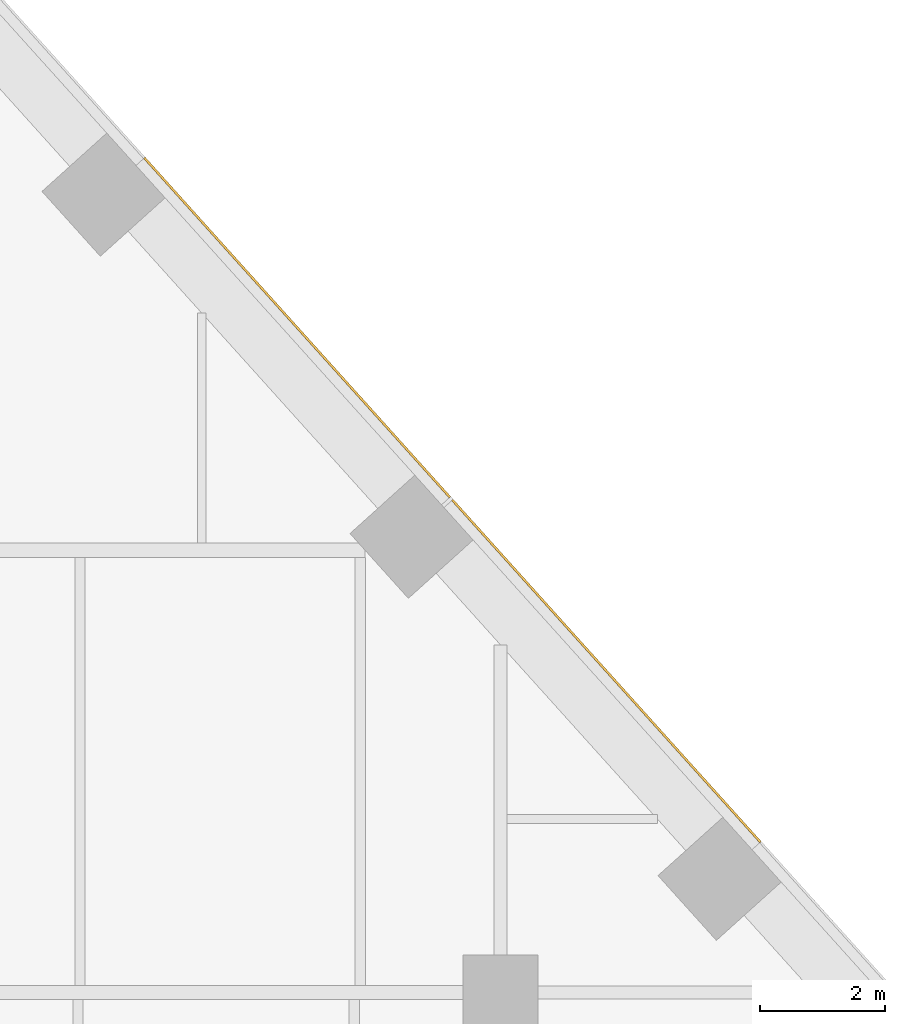
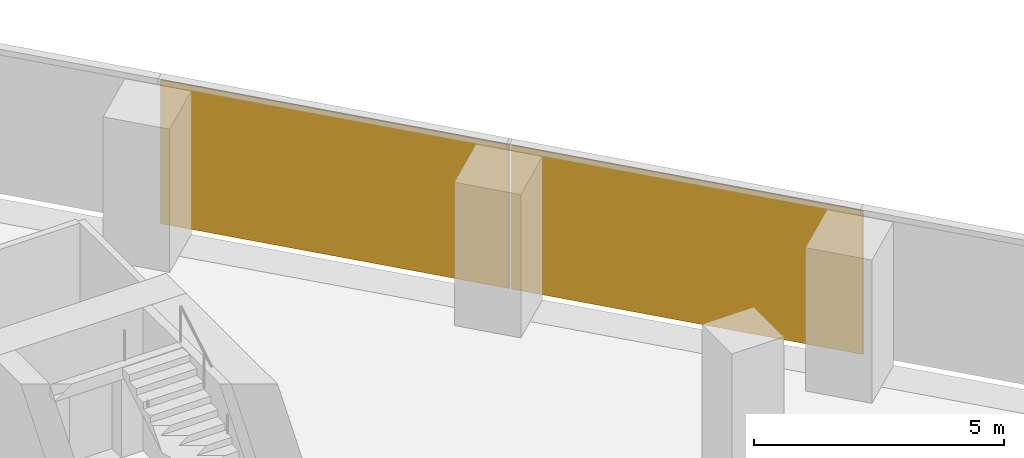
# One storey, part 16 of 16: 2 coverings, 1 element without a shape of its own.
"""IFC4 building model written with IfcOpenShell, lengths in metres."""

from ifc_helpers import new_model, si_unit, direction, frame, origin, origin_2d, place, context, subcontext, project, spatial, rectangle, extrude, material, layer, layer_set, type_object, element, aggregate, save


model = new_model("IFC4")

# Units and contexts
model_context = context("Model", 3, precision=1e-05, world=origin(), true_north=direction((0.0, 1.0)))
body_context = subcontext(model_context, "Body", "Model", "MODEL_VIEW")
ifc_project = project(units=[si_unit("LENGTHUNIT", "METRE"), si_unit("AREAUNIT", "SQUARE_METRE"), si_unit("VOLUMEUNIT", "CUBIC_METRE"), si_unit("PLANEANGLEUNIT", "RADIAN"), si_unit("MASSUNIT", "GRAM", prefix="KILO")], contexts=[model_context])

# Site, building, storey
site_placement = place(None, origin())
site = spatial("IfcSite", under=ifc_project, at=site_placement, CompositionType="ELEMENT")
building_placement = place(site_placement, origin())
building = spatial("IfcBuilding", under=site, at=building_placement, Name="Isthmus Gate Tower", CompositionType="ELEMENT")
storey_placement = place(building_placement, frame((0.0, 0.0, 148.050048828125)))
storey = spatial("IfcBuildingStorey", under=building, at=storey_placement, Name="L36", CompositionType="ELEMENT", Elevation=148.050048828125)

# Curtain wall, coverings
ifc_material_1 = material(Name="Aluminium, pale champagne anodised", Category="aluminium")
ifc_layer_1 = layer(ifc_material_1, 0.199951171875)
ifc_layer_set_1 = layer_set([ifc_layer_1], Name="CW-1 UNITISED CURTAIN WALL 200 DEEP")
curtain_wall_type = type_object("IfcCurtainWallType", Name="CW-1 UNITISED CURTAIN WALL 200 DEEP", PredefinedType="NOTDEFINED", material=ifc_layer_set_1)
curtain_wall_placement = place(storey_placement, origin())
curtain_wall = element("IfcCurtainWall", 1, at=curtain_wall_placement, inside=storey, type_object=curtain_wall_type, Name="CW-1 NE L36", PredefinedType="NOTDEFINED")
ifc_material_2 = material(Name="Aluminium composite panel, pale champagne anodised", Category="aluminium")
ifc_layer_2 = layer(ifc_material_2, 0.035888671875)
ifc_layer_set_2 = layer_set([ifc_layer_2], Name="CW-1 PALE METAL PANEL 36")
covering_type = type_object("IfcCoveringType", Name="CW-1 PALE METAL PANEL 36", PredefinedType="CLADDING", material=ifc_layer_set_2)
covering_1_placement = place(storey_placement, frame((25.70068359375, 12.659423828125, 0.0), z_axis=(0.0, 0.0, 1.0), x_axis=(-0.669130606359, 0.743144825477, 0.0)))
covering_1 = element("IfcCovering", 2, at=covering_1_placement, type_object=covering_type, Name="CW-1 pale metal panel", PredefinedType="CLADDING", context=body_context, shape_type="SweptSolid", body=[
    extrude(rectangle(XDim=7.390869140625, YDim=0.035888671875, at=origin_2d()), origin(), (0.0, 0.0, 1.0), 3.510009765625),
])
covering_2_placement = place(storey_placement, frame((20.735107421875, 18.17431640625, 0.0), z_axis=(0.0, 0.0, 1.0), x_axis=(-0.669130606359, 0.743144825477, 0.0)))
covering_2 = element("IfcCovering", 3, at=covering_2_placement, type_object=covering_type, Name="CW-1 pale metal panel", PredefinedType="CLADDING", context=body_context, shape_type="SweptSolid", body=[
    extrude(rectangle(XDim=7.330810546875, YDim=0.035888671875, at=origin_2d()), origin(), (0.0, 0.0, 1.0), 3.510009765625),
])
aggregate(curtain_wall, [covering_1, covering_2])

save(model, "model.ifc")
